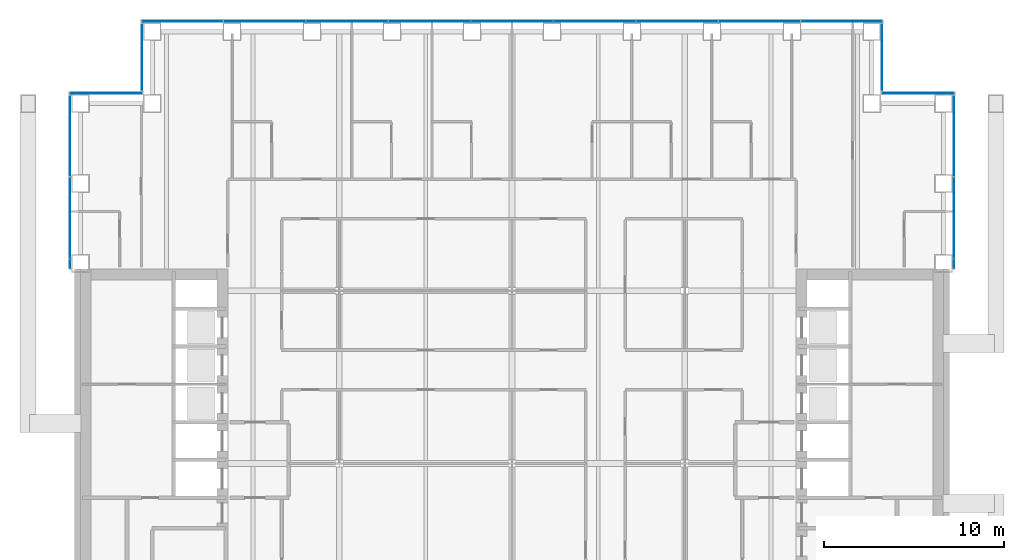
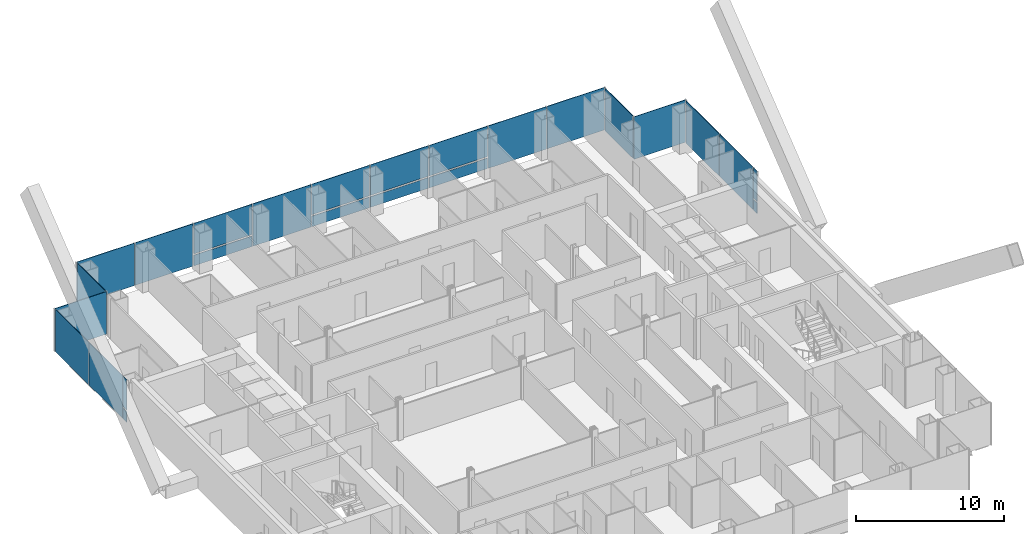
# One storey, part 15 of 23: 25 plates, 7 elements without a shape of their own.
"""IFC4 building model written with IfcOpenShell, lengths in metres."""

import ifcopenshell
import ifcopenshell.guid

model = None  # the IFC model being written
_history = None  # IfcOwnerHistory: only IFC2X3 demands one
_inside = {}  # id of a spatial element -> (the spatial element, [elements in it])
_under = {}  # id of a project, library or spatial element -> (it, [spatial elements below it])
_declared = {}  # id of a project -> (the project, [libraries it declares])
_typed = {}  # id of a type object -> (the type object, [elements of that type])
_made_of = {}  # id of a material, layer set ... -> (it, [elements and type objects made of it])


def new_model(schema):
    """Start an empty IFC model of exactly this schema.

    Asked for "IFC4X3", IfcOpenShell would pick the latest addendum, in which some entities
    have other attributes; the version numbers below select the first issue.
    IFC2X3 requires an IfcOwnerHistory on every rooted entity: one is made here for all.
    """
    global model, _history
    if schema == "IFC4X3":
        model = ifcopenshell.file(schema_version=(4, 3, 0, 0))
    else:
        model = ifcopenshell.file(schema=schema)
    _inside.clear()
    _under.clear()
    _declared.clear()
    _typed.clear()
    _made_of.clear()
    _history = None
    if model.schema == "IFC2X3":
        org = make("IfcOrganization", Name="unknown")
        user = make(
            "IfcPersonAndOrganization",
            ThePerson=make("IfcPerson", FamilyName="unknown"),
            TheOrganization=org,
        )
        app = make(
            "IfcApplication",
            ApplicationDeveloper=org,
            Version="unknown",
            ApplicationFullName="unknown",
            ApplicationIdentifier="unknown",
        )
        _history = make(
            "IfcOwnerHistory",
            OwningUser=user,
            OwningApplication=app,
            ChangeAction="ADDED",
            CreationDate=0,
        )
    return model


def make(cls, **values):
    """One entity of the class cls with the attributes given. An attribute that is None is left unset."""
    return model.create_entity(
        cls, **{name: value for name, value in values.items() if value is not None}
    )


def rooted(cls, **values):
    """An entity with a GlobalId (a new one), such as an element, a storey or a relation."""
    return make(cls, GlobalId=ifcopenshell.guid.new(), OwnerHistory=_history, **values)


def si_unit(unit_type, name, prefix=None):
    """IfcSIUnit, for example si_unit("LENGTHUNIT", "METRE", prefix="MILLI")."""
    return make("IfcSIUnit", UnitType=unit_type, Prefix=prefix, Name=name)


def assignment(units):
    """IfcUnitAssignment: the units of a project."""
    return None if units is None else make("IfcUnitAssignment", Units=units)


def point(xyz):
    """IfcCartesianPoint."""
    return None if xyz is None else make("IfcCartesianPoint", Coordinates=xyz)


def direction(xyz):
    """IfcDirection."""
    return None if xyz is None else make("IfcDirection", DirectionRatios=xyz)


def frame(location, z_axis=None, x_axis=None):
    """IfcAxis2Placement3D, a coordinate frame: its origin and axes. An axis left out is left unset."""
    return make(
        "IfcAxis2Placement3D",
        Location=point(location),
        Axis=direction(z_axis),
        RefDirection=direction(x_axis),
    )


def frame_2d(location, x_axis=None):
    """IfcAxis2Placement2D, a coordinate frame in the plane: its origin and x axis."""
    return make(
        "IfcAxis2Placement2D", Location=point(location), RefDirection=direction(x_axis)
    )


def origin():
    """The frame at (0, 0, 0) with its axes left unset."""
    return frame((0.0, 0.0, 0.0))


def origin_2d():
    """The frame at (0, 0) in the plane with its x axis left unset."""
    return frame_2d((0.0, 0.0))


def place(relative_to, where):
    """IfcLocalPlacement: puts the frame where relative to a parent placement (None: the world)."""
    return make(
        "IfcLocalPlacement", PlacementRelTo=relative_to, RelativePlacement=where
    )


def context(
    kind, dimensions, precision=None, world=None, true_north=None, identifier=None
):
    """IfcGeometricRepresentationContext, for example the 3D "Model" context."""
    return make(
        "IfcGeometricRepresentationContext",
        ContextIdentifier=identifier,
        ContextType=kind,
        CoordinateSpaceDimension=dimensions,
        Precision=precision,
        WorldCoordinateSystem=world,
        TrueNorth=true_north,
    )


def subcontext(parent, identifier, kind, view, scale=None):
    """IfcGeometricRepresentationSubContext, for example "Body" below "Model"."""
    return make(
        "IfcGeometricRepresentationSubContext",
        ContextIdentifier=identifier,
        ContextType=kind,
        ParentContext=parent,
        TargetScale=scale,
        TargetView=view,
    )


def project(units=None, contexts=None):
    """IfcProject with its units and contexts."""
    return rooted(
        "IfcProject",
        Name="project",
        RepresentationContexts=contexts,
        UnitsInContext=assignment(units),
    )


def spatial(cls, under=None, at=None, **own):
    """A site, building, storey or space (cls), placed at a placement, below another one or the project."""
    s = rooted(cls, ObjectPlacement=at, **own)
    if under is not None:
        _under.setdefault(under.id(), (under, []))[1].append(s)
    return s


def profile(cls, at=None, kind="AREA", **sizes):
    """A parametric profile (cls). Its sizes go by their IFC names, for example OverallWidth=200.0."""
    return make(cls, ProfileType=kind, Position=at, **sizes)


def rectangle(**sizes):
    """IfcRectangleProfileDef."""
    return profile("IfcRectangleProfileDef", **sizes)


def extrude(swept, where, along, depth):
    """IfcExtrudedAreaSolid: the profile swept, set in the frame where, extruded along a direction by depth."""
    return make(
        "IfcExtrudedAreaSolid",
        SweptArea=swept,
        Position=where,
        ExtrudedDirection=direction(along),
        Depth=depth,
    )


def shape(context_of_items, identifier, shape_type, items):
    """IfcShapeRepresentation: the items that make up one representation, for example the "Body"."""
    return make(
        "IfcShapeRepresentation",
        ContextOfItems=context_of_items,
        RepresentationIdentifier=identifier,
        RepresentationType=shape_type,
        Items=items,
    )


def material(Name=None, Category=None):
    """IfcMaterial."""
    return make("IfcMaterial", Name=Name, Category=Category)


def layer(
    of_material, thickness, ventilated=None, Name=None, Category=None, Priority=None
):
    """IfcMaterialLayer: one layer of a wall or slab, of a material (None: an air gap)."""
    return make(
        "IfcMaterialLayer",
        Material=of_material,
        LayerThickness=thickness,
        IsVentilated=ventilated,
        Name=Name,
        Category=Category,
        Priority=Priority,
    )


def layer_set(layers, Name=None):
    """IfcMaterialLayerSet."""
    return make("IfcMaterialLayerSet", MaterialLayers=layers, LayerSetName=Name)


def made_of(thing, what):
    """Note that an element or type object is made of a material, layer set ...; save() writes the relation."""
    if what is not None:
        _made_of.setdefault(what.id(), (what, []))[1].append(thing)
    return thing


def type_object(cls, material=None, **own):
    """A type object (cls), such as IfcWallType, which elements share."""
    return made_of(rooted(cls, **own), material)


def element(
    cls,
    number,
    at=None,
    inside=None,
    cuts=None,
    type_object=None,
    material=None,
    context=None,
    identifier="Body",
    shape_type=None,
    held_by="IfcProductDefinitionShape",
    body=None,
    shapes=None,
    **own,
):
    """One element of the class cls, such as IfcWall. Its Tag is "e" and its number.

    at: its placement. inside: the storey or other place that contains it. cuts: it is an
    opening in that element (IfcRelVoidsElement). A single representation is given by context,
    identifier, shape_type and body (its items); several are given by shapes. held_by: the class
    of the entity that holds the representations. save() writes the other relations.
    """
    e = rooted(cls, Tag="e%d" % number, ObjectPlacement=at, **own)
    if body is not None:
        shapes = [shape(context, identifier, shape_type, body)]
    if shapes is not None:
        e.Representation = make(held_by, Representations=shapes)
    if inside is not None:
        _inside.setdefault(inside.id(), (inside, []))[1].append(e)
    if cuts is not None:
        rooted(
            "IfcRelVoidsElement", RelatingBuildingElement=cuts, RelatedOpeningElement=e
        )
    if type_object is not None:
        _typed.setdefault(type_object.id(), (type_object, []))[1].append(e)
    return made_of(e, material)


def aggregate(whole, parts):
    """IfcRelAggregates: a whole, such as a stair, and the parts it consists of."""
    return rooted("IfcRelAggregates", RelatingObject=whole, RelatedObjects=parts)


def save(model, path):
    """Write the relations noted so far, then the file.

    IfcRelAggregates (storeys below a building ...), IfcRelContainedInSpatialStructure (elements
    in a storey), IfcRelDefinesByType, IfcRelAssociatesMaterial and IfcRelDeclares: one each for
    every whole, place, type object, material and project.
    """
    for whole, parts in _under.values():
        aggregate(whole, parts)
    for where, things in _inside.values():
        rooted(
            "IfcRelContainedInSpatialStructure",
            RelatedElements=things,
            RelatingStructure=where,
        )
    for kind, things in _typed.values():
        rooted("IfcRelDefinesByType", RelatedObjects=things, RelatingType=kind)
    for what, things in _made_of.values():
        rooted("IfcRelAssociatesMaterial", RelatedObjects=things, RelatingMaterial=what)
    for by, libraries in _declared.values():
        rooted("IfcRelDeclares", RelatingContext=by, RelatedDefinitions=libraries)
    model.write(path)


model = new_model("IFC4")

# Units and contexts
model_context = context("Model", 3, precision=1e-05, world=origin(), true_north=direction((0.0, 1.0)))
body_context = subcontext(model_context, "Body", "Model", "MODEL_VIEW")
ifc_project = project(units=[si_unit("LENGTHUNIT", "METRE"), si_unit("AREAUNIT", "SQUARE_METRE"), si_unit("VOLUMEUNIT", "CUBIC_METRE"), si_unit("PLANEANGLEUNIT", "RADIAN"), si_unit("MASSUNIT", "GRAM", prefix="KILO")], contexts=[model_context])

# Site, building, storey
site_placement = place(None, origin())
site = spatial("IfcSite", under=ifc_project, at=site_placement, CompositionType="ELEMENT")
building_placement = place(site_placement, origin())
building = spatial("IfcBuilding", under=site, at=building_placement, Name="Cobrizo Arcos Hotel Tower", CompositionType="ELEMENT")
storey_placement = place(building_placement, frame((0.0, 0.0, 56.5)))
storey = spatial("IfcBuildingStorey", under=building, at=storey_placement, Name="L12", CompositionType="ELEMENT", Elevation=56.5)

# Curtain wall, plate
ifc_material_1 = material(Name="Aluminium 6063-T6 anodised bronze", Category="aluminium")
curtain_wall_type = type_object("IfcCurtainWallType", Name="CW-A guest facade", PredefinedType="NOTDEFINED", material=ifc_material_1)
curtain_wall_1_placement = place(storey_placement, origin())
curtain_wall_1 = element("IfcCurtainWall", 1, at=curtain_wall_1_placement, inside=storey, type_object=curtain_wall_type, Name="CW-A L12 E face", PredefinedType="NOTDEFINED")
ifc_material_2 = material(Name="Glass clear laminated low-e", Category="glass")
ifc_layer_1 = layer(ifc_material_2, 0.0400390625)
ifc_layer_set_1 = layer_set([ifc_layer_1], Name="CW-A glass panel")
plate_type_1 = type_object("IfcPlateType", Name="CW-A glass panel", PredefinedType="CURTAIN_PANEL", material=ifc_layer_set_1)
plate_1_placement = place(storey_placement, frame((24.574951171875, 11.109375, 0.990234375), z_axis=(0.0, 0.0, 1.0), x_axis=(0.0, 1.0, 0.0)))
plate_1 = element("IfcPlate", 2, at=plate_1_placement, type_object=plate_type_1, Name="CW-A glass panel 565", PredefinedType="CURTAIN_PANEL", context=body_context, shape_type="SweptSolid", body=[
    extrude(rectangle(XDim=0.498779296875, YDim=0.0400390625, at=origin_2d()), origin(), (0.0, 0.0, 1.0), 2.510009765625),
])

# Curtain wall, plates
curtain_wall_2_placement = place(storey_placement, origin())
curtain_wall_2 = element("IfcCurtainWall", 3, at=curtain_wall_2_placement, inside=storey, type_object=curtain_wall_type, Name="CW-A L12 N face", PredefinedType="NOTDEFINED")
plate_2_placement = place(storey_placement, frame((9.177734375, 24.574951171875, 0.990234375), z_axis=(0.0, 0.0, 1.0), x_axis=(-1.0, 0.0, 0.0)))
plate_2 = element("IfcPlate", 4, at=plate_2_placement, type_object=plate_type_1, Name="CW-A glass panel 572", PredefinedType="CURTAIN_PANEL", context=body_context, shape_type="SweptSolid", body=[
    extrude(rectangle(XDim=4.52880859375, YDim=0.0400390625, at=origin_2d()), origin(), (0.0, 0.0, 1.0), 2.510009765625),
])
plate_3_placement = place(storey_placement, frame((4.5888671875, 24.574951171875, 0.990234375), z_axis=(0.0, 0.0, 1.0), x_axis=(-1.0, 0.0, 0.0)))
plate_3 = element("IfcPlate", 5, at=plate_3_placement, type_object=plate_type_1, Name="CW-A glass panel 573", PredefinedType="CURTAIN_PANEL", context=body_context, shape_type="SweptSolid", body=[
    extrude(rectangle(XDim=4.52880859375, YDim=0.0400390625, at=origin_2d()), origin(), (0.0, 0.0, 1.0), 2.510009765625),
])
plate_4_placement = place(storey_placement, frame((0.0, 24.574951171875, 0.990234375), z_axis=(0.0, 0.0, 1.0), x_axis=(-1.0, 0.0, 0.0)))
plate_4 = element("IfcPlate", 6, at=plate_4_placement, type_object=plate_type_1, Name="CW-A glass panel 574", PredefinedType="CURTAIN_PANEL", context=body_context, shape_type="SweptSolid", body=[
    extrude(rectangle(XDim=4.52880859375, YDim=0.0400390625, at=origin_2d()), origin(), (0.0, 0.0, 1.0), 2.510009765625),
])
plate_5_placement = place(storey_placement, frame((-9.177734375, 24.574951171875, 0.990234375), z_axis=(0.0, 0.0, 1.0), x_axis=(-1.0, 0.0, 0.0)))
plate_5 = element("IfcPlate", 7, at=plate_5_placement, type_object=plate_type_1, Name="CW-A glass panel 576", PredefinedType="CURTAIN_PANEL", context=body_context, shape_type="SweptSolid", body=[
    extrude(rectangle(XDim=4.52880859375, YDim=0.0400390625, at=origin_2d()), origin(), (0.0, 0.0, 1.0), 2.510009765625),
])

# Curtain wall, plate
curtain_wall_3_placement = place(storey_placement, origin())
curtain_wall_3 = element("IfcCurtainWall", 8, at=curtain_wall_3_placement, inside=storey, type_object=curtain_wall_type, Name="CW-A L12 W face", PredefinedType="NOTDEFINED")
plate_6_placement = place(storey_placement, frame((-24.574951171875, 11.109375, 0.990234375), z_axis=(0.0, 0.0, 1.0), x_axis=(0.0, -1.0, 0.0)))
plate_6 = element("IfcPlate", 9, at=plate_6_placement, type_object=plate_type_1, Name="CW-A glass panel 583", PredefinedType="CURTAIN_PANEL", context=body_context, shape_type="SweptSolid", body=[
    extrude(rectangle(XDim=0.498779296875, YDim=0.0400390625, at=origin_2d()), origin(), (0.0, 0.0, 1.0), 2.510009765625),
])

# Plate
ifc_material_3 = material(Name="Aluminium composite panel pale metal", Category="aluminium")
ifc_layer_2 = layer(ifc_material_3, 0.0400390625)
ifc_layer_set_2 = layer_set([ifc_layer_2], Name="CW-A spandrel panel")
plate_type_2 = type_object("IfcPlateType", Name="CW-A spandrel panel", PredefinedType="CURTAIN_PANEL", material=ifc_layer_set_2)
plate_7_placement = place(storey_placement, frame((24.574951171875, 11.109375, 0.0), z_axis=(0.0, 0.0, 1.0), x_axis=(0.0, 1.0, 0.0)))
plate_7 = element("IfcPlate", 10, at=plate_7_placement, type_object=plate_type_2, Name="CW-A spandrel panel 565", PredefinedType="CURTAIN_PANEL", context=body_context, shape_type="SweptSolid", body=[
    extrude(rectangle(XDim=0.498779296875, YDim=0.0400390625, at=origin_2d()), origin(), (0.0, 0.0, 1.0), 0.8701171875),
])

plate_8_placement = place(storey_placement, frame((24.574951171875, 13.666748046875, 0.0), z_axis=(0.0, 0.0, 1.0), x_axis=(0.0, 1.0, 0.0)))
plate_8 = element("IfcPlate", 11, at=plate_8_placement, type_object=plate_type_2, Name="CW-A spandrel panel 566", PredefinedType="CURTAIN_PANEL", context=body_context, shape_type="SweptSolid", body=[
    extrude(rectangle(XDim=4.49560546875, YDim=0.0400390625, at=origin_2d()), origin(), (0.0, 0.0, 1.0), 3.5),
])

plate_9_placement = place(storey_placement, frame((24.574951171875, 18.207275390625, 0.0), z_axis=(0.0, 0.0, 1.0), x_axis=(0.0, 1.0, 0.0)))
plate_9 = element("IfcPlate", 12, at=plate_9_placement, type_object=plate_type_2, Name="CW-A spandrel panel 567", PredefinedType="CURTAIN_PANEL", context=body_context, shape_type="SweptSolid", body=[
    extrude(rectangle(XDim=4.465576171875, YDim=0.0400390625, at=origin_2d()), origin(), (0.0, 0.0, 1.0), 3.5),
])

aggregate(curtain_wall_1, [plate_7, plate_1, plate_8, plate_9])

# Curtain wall, plate
curtain_wall_4_placement = place(storey_placement, origin())
curtain_wall_4 = element("IfcCurtainWall", 13, at=curtain_wall_4_placement, inside=storey, type_object=curtain_wall_type, Name="CW-A L12 N face", PredefinedType="NOTDEFINED")
plate_10_placement = place(storey_placement, frame((22.574951171875, 20.574951171875, 0.0), z_axis=(0.0, 0.0, 1.0), x_axis=(-1.0, 0.0, 0.0)))
plate_10 = element("IfcPlate", 14, at=plate_10_placement, type_object=plate_type_2, Name="CW-A spandrel panel 568", PredefinedType="CURTAIN_PANEL", context=body_context, shape_type="SweptSolid", body=[
    extrude(rectangle(XDim=4.030029296875, YDim=0.0400390625, at=origin_2d()), origin(), (0.0, 0.0, 1.0), 3.5),
])
aggregate(curtain_wall_4, [plate_10])

curtain_wall_5_placement = place(storey_placement, origin())
curtain_wall_5 = element("IfcCurtainWall", 15, at=curtain_wall_5_placement, inside=storey, type_object=curtain_wall_type, Name="CW-A L12 E face", PredefinedType="NOTDEFINED")
plate_11_placement = place(storey_placement, frame((20.574951171875, 22.574951171875, 0.0), z_axis=(0.0, 0.0, 1.0), x_axis=(0.0, 1.0, 0.0)))
plate_11 = element("IfcPlate", 16, at=plate_11_placement, type_object=plate_type_2, Name="CW-A spandrel panel 569", PredefinedType="CURTAIN_PANEL", context=body_context, shape_type="SweptSolid", body=[
    extrude(rectangle(XDim=3.72998046875, YDim=0.0400390625, at=origin_2d()), origin(), (0.0, 0.0, 1.0), 3.5),
])
aggregate(curtain_wall_5, [plate_11])

# Plate
plate_12_placement = place(storey_placement, frame((18.340576171875, 24.574951171875, 0.0), z_axis=(0.0, 0.0, 1.0), x_axis=(-1.0, 0.0, 0.0)))
plate_12 = element("IfcPlate", 17, at=plate_12_placement, type_object=plate_type_2, Name="CW-A spandrel panel 570", PredefinedType="CURTAIN_PANEL", context=body_context, shape_type="SweptSolid", body=[
    extrude(rectangle(XDim=4.498779296875, YDim=0.0400390625, at=origin_2d()), origin(), (0.0, 0.0, 1.0), 3.5),
])

plate_13_placement = place(storey_placement, frame((13.7666015625, 24.574951171875, 0.0), z_axis=(0.0, 0.0, 1.0), x_axis=(-1.0, 0.0, 0.0)))
plate_13 = element("IfcPlate", 18, at=plate_13_placement, type_object=plate_type_2, Name="CW-A spandrel panel 571", PredefinedType="CURTAIN_PANEL", context=body_context, shape_type="SweptSolid", body=[
    extrude(rectangle(XDim=4.52880859375, YDim=0.0400390625, at=origin_2d()), origin(), (0.0, 0.0, 1.0), 3.5),
])

plate_14_placement = place(storey_placement, frame((9.177734375, 24.574951171875, 0.0), z_axis=(0.0, 0.0, 1.0), x_axis=(-1.0, 0.0, 0.0)))
plate_14 = element("IfcPlate", 19, at=plate_14_placement, type_object=plate_type_2, Name="CW-A spandrel panel 572", PredefinedType="CURTAIN_PANEL", context=body_context, shape_type="SweptSolid", body=[
    extrude(rectangle(XDim=4.52880859375, YDim=0.0400390625, at=origin_2d()), origin(), (0.0, 0.0, 1.0), 0.8701171875),
])

plate_15_placement = place(storey_placement, frame((4.5888671875, 24.574951171875, 0.0), z_axis=(0.0, 0.0, 1.0), x_axis=(-1.0, 0.0, 0.0)))
plate_15 = element("IfcPlate", 20, at=plate_15_placement, type_object=plate_type_2, Name="CW-A spandrel panel 573", PredefinedType="CURTAIN_PANEL", context=body_context, shape_type="SweptSolid", body=[
    extrude(rectangle(XDim=4.52880859375, YDim=0.0400390625, at=origin_2d()), origin(), (0.0, 0.0, 1.0), 0.8701171875),
])

plate_16_placement = place(storey_placement, frame((0.0, 24.574951171875, 0.0), z_axis=(0.0, 0.0, 1.0), x_axis=(-1.0, 0.0, 0.0)))
plate_16 = element("IfcPlate", 21, at=plate_16_placement, type_object=plate_type_2, Name="CW-A spandrel panel 574", PredefinedType="CURTAIN_PANEL", context=body_context, shape_type="SweptSolid", body=[
    extrude(rectangle(XDim=4.52880859375, YDim=0.0400390625, at=origin_2d()), origin(), (0.0, 0.0, 1.0), 0.8701171875),
])

plate_17_placement = place(storey_placement, frame((-4.5888671875, 24.574951171875, 0.0), z_axis=(0.0, 0.0, 1.0), x_axis=(-1.0, 0.0, 0.0)))
plate_17 = element("IfcPlate", 22, at=plate_17_placement, type_object=plate_type_2, Name="CW-A spandrel panel 575", PredefinedType="CURTAIN_PANEL", context=body_context, shape_type="SweptSolid", body=[
    extrude(rectangle(XDim=4.52880859375, YDim=0.0400390625, at=origin_2d()), origin(), (0.0, 0.0, 1.0), 3.5),
])

plate_18_placement = place(storey_placement, frame((-9.177734375, 24.574951171875, 0.0), z_axis=(0.0, 0.0, 1.0), x_axis=(-1.0, 0.0, 0.0)))
plate_18 = element("IfcPlate", 23, at=plate_18_placement, type_object=plate_type_2, Name="CW-A spandrel panel 576", PredefinedType="CURTAIN_PANEL", context=body_context, shape_type="SweptSolid", body=[
    extrude(rectangle(XDim=4.52880859375, YDim=0.0400390625, at=origin_2d()), origin(), (0.0, 0.0, 1.0), 0.8701171875),
])

plate_19_placement = place(storey_placement, frame((-13.7666015625, 24.574951171875, 0.0), z_axis=(0.0, 0.0, 1.0), x_axis=(-1.0, 0.0, 0.0)))
plate_19 = element("IfcPlate", 24, at=plate_19_placement, type_object=plate_type_2, Name="CW-A spandrel panel 577", PredefinedType="CURTAIN_PANEL", context=body_context, shape_type="SweptSolid", body=[
    extrude(rectangle(XDim=4.52880859375, YDim=0.0400390625, at=origin_2d()), origin(), (0.0, 0.0, 1.0), 3.5),
])

plate_20_placement = place(storey_placement, frame((-18.340576171875, 24.574951171875, 0.0), z_axis=(0.0, 0.0, 1.0), x_axis=(-1.0, 0.0, 0.0)))
plate_20 = element("IfcPlate", 25, at=plate_20_placement, type_object=plate_type_2, Name="CW-A spandrel panel 578", PredefinedType="CURTAIN_PANEL", context=body_context, shape_type="SweptSolid", body=[
    extrude(rectangle(XDim=4.498779296875, YDim=0.0400390625, at=origin_2d()), origin(), (0.0, 0.0, 1.0), 3.5),
])

aggregate(curtain_wall_2, [plate_12, plate_13, plate_14, plate_2, plate_15, plate_3, plate_16, plate_4, plate_17, plate_18, plate_5, plate_19, plate_20])

# Curtain wall, plate
curtain_wall_6_placement = place(storey_placement, origin())
curtain_wall_6 = element("IfcCurtainWall", 26, at=curtain_wall_6_placement, inside=storey, type_object=curtain_wall_type, Name="CW-A L12 W face", PredefinedType="NOTDEFINED")
plate_21_placement = place(storey_placement, frame((-20.574951171875, 22.574951171875, 0.0), z_axis=(0.0, 0.0, 1.0), x_axis=(0.0, -1.0, 0.0)))
plate_21 = element("IfcPlate", 27, at=plate_21_placement, type_object=plate_type_2, Name="CW-A spandrel panel 579", PredefinedType="CURTAIN_PANEL", context=body_context, shape_type="SweptSolid", body=[
    extrude(rectangle(XDim=3.72998046875, YDim=0.0400390625, at=origin_2d()), origin(), (0.0, 0.0, 1.0), 3.5),
])
aggregate(curtain_wall_6, [plate_21])

curtain_wall_7_placement = place(storey_placement, origin())
curtain_wall_7 = element("IfcCurtainWall", 28, at=curtain_wall_7_placement, inside=storey, type_object=curtain_wall_type, Name="CW-A L12 N face", PredefinedType="NOTDEFINED")
plate_22_placement = place(storey_placement, frame((-22.574951171875, 20.574951171875, 0.0), z_axis=(0.0, 0.0, 1.0), x_axis=(-1.0, 0.0, 0.0)))
plate_22 = element("IfcPlate", 29, at=plate_22_placement, type_object=plate_type_2, Name="CW-A spandrel panel 580", PredefinedType="CURTAIN_PANEL", context=body_context, shape_type="SweptSolid", body=[
    extrude(rectangle(XDim=4.030029296875, YDim=0.0400390625, at=origin_2d()), origin(), (0.0, 0.0, 1.0), 3.5),
])
aggregate(curtain_wall_7, [plate_22])

# Plate
plate_23_placement = place(storey_placement, frame((-24.574951171875, 18.207275390625, 0.0), z_axis=(0.0, 0.0, 1.0), x_axis=(0.0, -1.0, 0.0)))
plate_23 = element("IfcPlate", 30, at=plate_23_placement, type_object=plate_type_2, Name="CW-A spandrel panel 581", PredefinedType="CURTAIN_PANEL", context=body_context, shape_type="SweptSolid", body=[
    extrude(rectangle(XDim=4.465576171875, YDim=0.0400390625, at=origin_2d()), origin(), (0.0, 0.0, 1.0), 3.5),
])

plate_24_placement = place(storey_placement, frame((-24.574951171875, 13.666748046875, 0.0), z_axis=(0.0, 0.0, 1.0), x_axis=(0.0, -1.0, 0.0)))
plate_24 = element("IfcPlate", 31, at=plate_24_placement, type_object=plate_type_2, Name="CW-A spandrel panel 582", PredefinedType="CURTAIN_PANEL", context=body_context, shape_type="SweptSolid", body=[
    extrude(rectangle(XDim=4.49560546875, YDim=0.0400390625, at=origin_2d()), origin(), (0.0, 0.0, 1.0), 3.5),
])

plate_25_placement = place(storey_placement, frame((-24.574951171875, 11.109375, 0.0), z_axis=(0.0, 0.0, 1.0), x_axis=(0.0, -1.0, 0.0)))
plate_25 = element("IfcPlate", 32, at=plate_25_placement, type_object=plate_type_2, Name="CW-A spandrel panel 583", PredefinedType="CURTAIN_PANEL", context=body_context, shape_type="SweptSolid", body=[
    extrude(rectangle(XDim=0.498779296875, YDim=0.0400390625, at=origin_2d()), origin(), (0.0, 0.0, 1.0), 0.8701171875),
])

aggregate(curtain_wall_3, [plate_23, plate_24, plate_25, plate_6])

save(model, "model.ifc")
